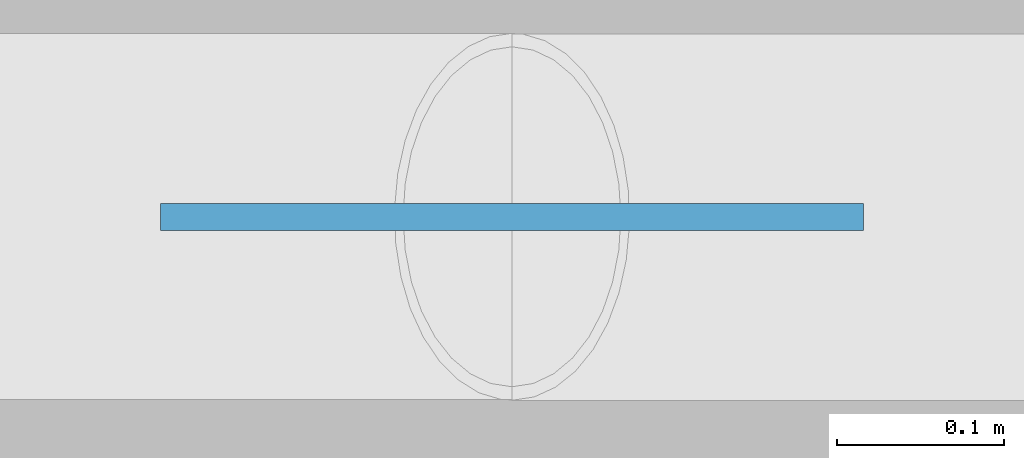
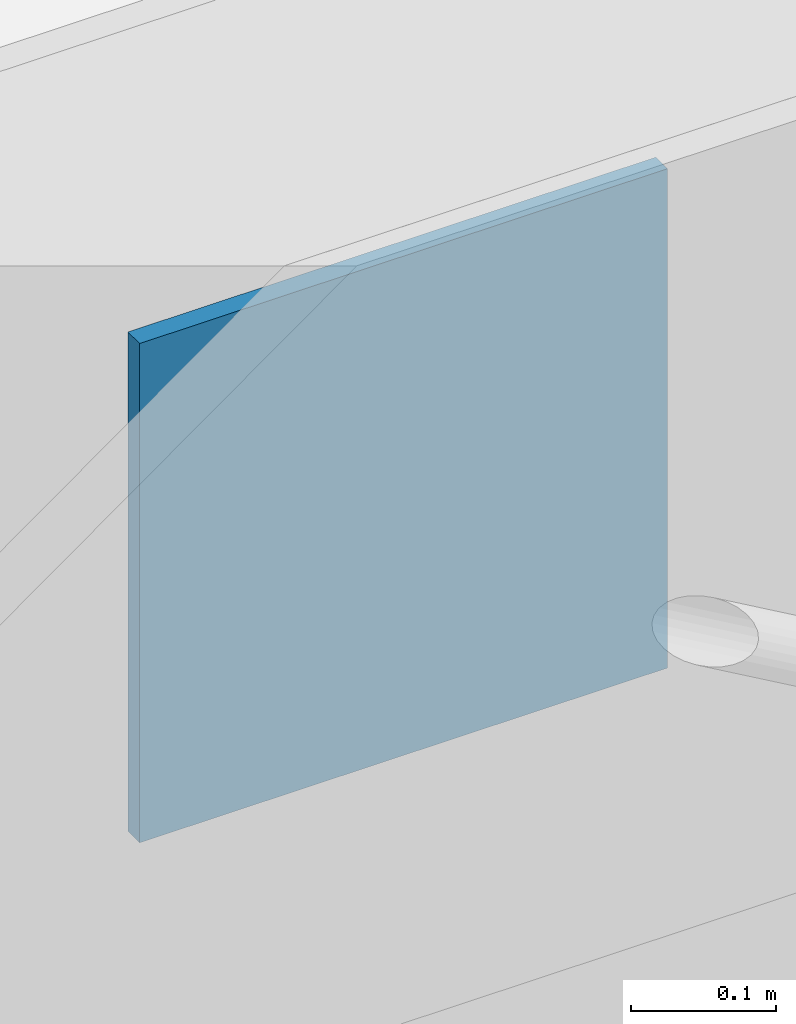
# One storey, part 7 of 19: 1 plate.
"""IFC4 building model written with IfcOpenShell, lengths in metres."""

from ifc_helpers import new_model, si_unit, direction, frame, origin, origin_2d, place, context, subcontext, project, spatial, rectangle, extrude, material, layer, layer_set, type_object, element, save


model = new_model("IFC4")

# Units and contexts
model_context = context("Model", 3, precision=1e-05, world=origin(), true_north=direction((0.0, 1.0)))
body_context = subcontext(model_context, "Body", "Model", "MODEL_VIEW")
ifc_project = project(units=[si_unit("LENGTHUNIT", "METRE"), si_unit("AREAUNIT", "SQUARE_METRE"), si_unit("VOLUMEUNIT", "CUBIC_METRE"), si_unit("PLANEANGLEUNIT", "RADIAN"), si_unit("MASSUNIT", "GRAM", prefix="KILO")], contexts=[model_context])

# Site, building, storey
site_placement = place(None, origin())
site = spatial("IfcSite", under=ifc_project, at=site_placement, CompositionType="ELEMENT")
building_placement = place(site_placement, origin())
building = spatial("IfcBuilding", under=site, at=building_placement, Name="Chengyuan Square Courthouse", CompositionType="ELEMENT")
storey_placement = place(building_placement, frame((0.0, 0.0, 47.699951171875)))
storey = spatial("IfcBuildingStorey", under=building, at=storey_placement, Name="L11", CompositionType="ELEMENT", Elevation=47.699951171875)

# Plate
ifc_material = material(Name="Steel Q355B", Category="steel")
ifc_layer = layer(ifc_material, 0.01611328125)
ifc_layer_set = layer_set([ifc_layer], Name="Steel Q355B")
plate_type = type_object("IfcPlateType", Name="GP-01", PredefinedType="SHEET", material=ifc_layer_set)
plate_placement = place(storey_placement, frame((63.0, 108.0, 3.400146484375), z_axis=(0.0, 0.0, 1.0), x_axis=(1.0, 0.0, 0.0)))
element("IfcPlate", 1, at=plate_placement, inside=storey, type_object=plate_type, Name="Brace Gusset Plate GP-L11-07", PredefinedType="SHEET", context=body_context, shape_type="SweptSolid", body=[
    extrude(rectangle(XDim=0.419921875, YDim=0.01611328125, at=origin_2d()), origin(), (0.0, 0.0, 1.0), 0.419921875),
])

save(model, "model.ifc")
